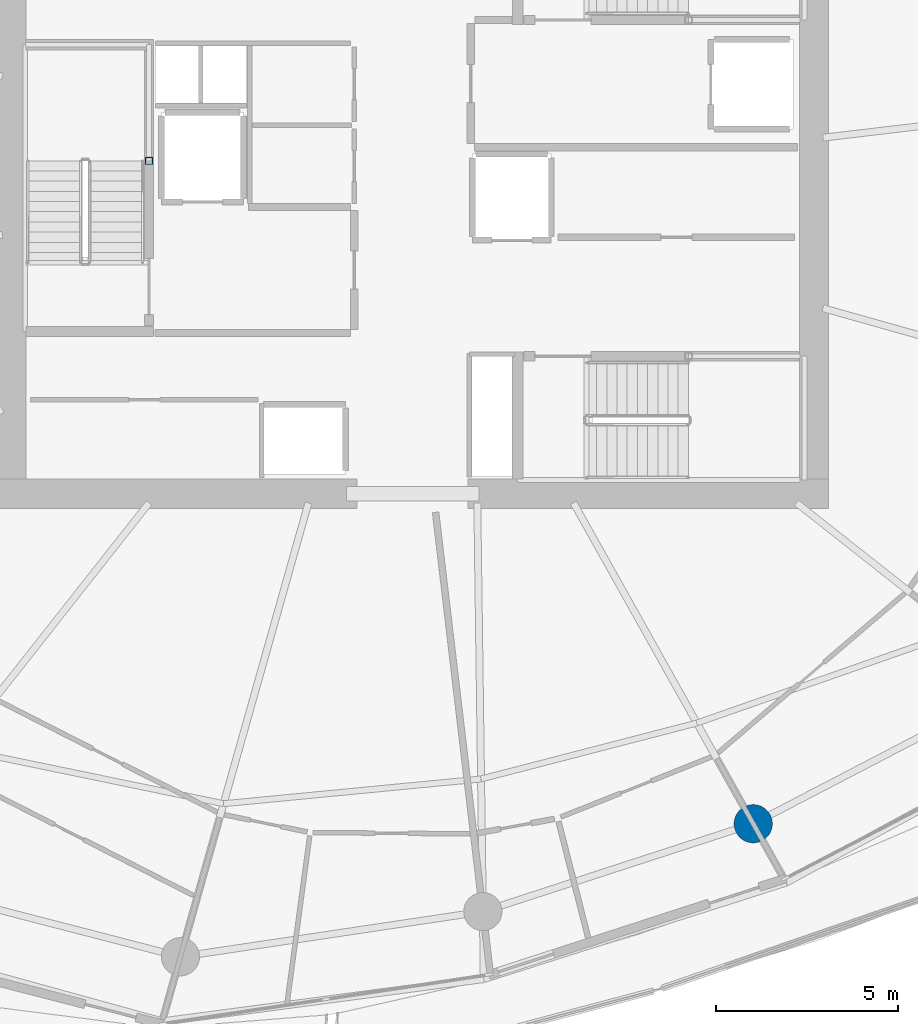
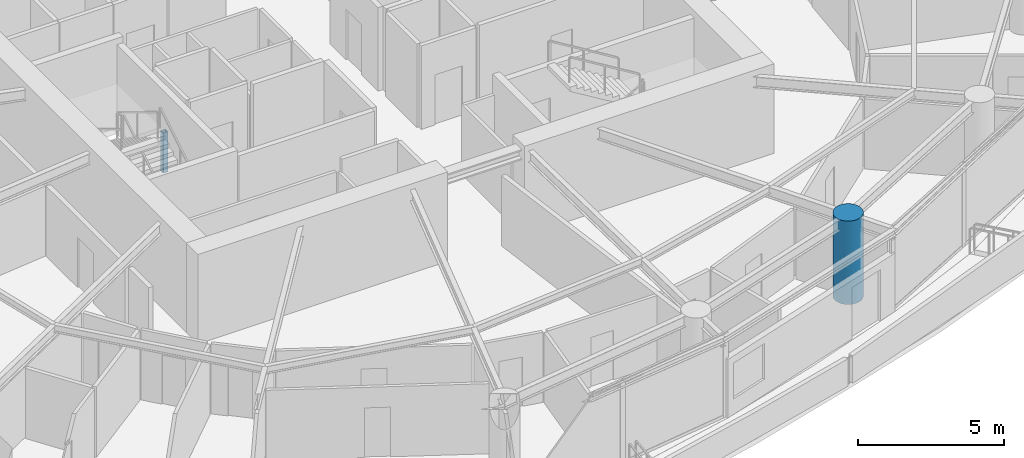
# One storey, part 2 of 20: 2 columns.
"""IFC4 building model written with IfcOpenShell, lengths in metres."""

from ifc_helpers import new_model, si_unit, direction, frame, origin, origin_2d, place, context, subcontext, project, spatial, hollow_rectangle, circle, extrude, material, material_profile, profile_set, type_object, element, save


model = new_model("IFC4")

# Units and contexts
model_context = context("Model", 3, precision=1e-05, world=origin(), true_north=direction((0.0, 1.0)))
body_context = subcontext(model_context, "Body", "Model", "MODEL_VIEW")
ifc_project = project(units=[si_unit("LENGTHUNIT", "METRE"), si_unit("AREAUNIT", "SQUARE_METRE"), si_unit("VOLUMEUNIT", "CUBIC_METRE"), si_unit("PLANEANGLEUNIT", "RADIAN"), si_unit("MASSUNIT", "GRAM", prefix="KILO")], contexts=[model_context])

# Site, building, storey
site_placement = place(None, origin())
site = spatial("IfcSite", under=ifc_project, at=site_placement, CompositionType="ELEMENT")
building_placement = place(site_placement, origin())
building = spatial("IfcBuilding", under=site, at=building_placement, Name="Kazma Halo Residences", CompositionType="ELEMENT")
storey_placement = place(building_placement, frame((0.0, 0.0, 154.050048828125)))
storey = spatial("IfcBuildingStorey", under=building, at=storey_placement, Name="L38", CompositionType="ELEMENT", Elevation=154.050048828125)

# Columns
ifc_material_1 = material(Name="Steel S355", Category="steel")
ifc_material_profile_1 = material_profile(ifc_material_1, hollow_rectangle(XDim=0.199951171875, YDim=0.199951171875, WallThickness=0.010009765625, InnerFilletRadius=0.010009765625, OuterFilletRadius=0.02001953125, at=origin_2d()), Name="SHS200x200x10")
ifc_profile_set_1 = profile_set([ifc_material_profile_1], Name="Steel S355")
column_type_1 = type_object("IfcColumnType", Name="COL-LP-SHS200", PredefinedType="COLUMN", material=ifc_profile_set_1)
column_1_placement = place(storey_placement, frame((41.179931640625, 42.75, 0.0), z_axis=(0.0, 0.0, 1.0), x_axis=(1.0, 0.0, 0.0)))
element("IfcColumn", 1, at=column_1_placement, inside=storey, type_object=column_type_1, Name="L38 ST-01 landing pilaster 1", PredefinedType="COLUMN", context=body_context, shape_type="SweptSolid", body=[
    extrude(hollow_rectangle(XDim=0.199951171875, YDim=0.199951171875, WallThickness=0.010009765625, InnerFilletRadius=0.010009765625, OuterFilletRadius=0.02001953125, at=origin_2d()), origin(), (0.0, 0.0, 1.0), 1.669921875),
])
ifc_material_2 = material(Name="Concrete C80/95", Category="concrete")
ifc_material_profile_2 = material_profile(ifc_material_2, circle(Radius=0.52490234375, at=origin_2d()), Name="CIRC1050")
ifc_profile_set_2 = profile_set([ifc_material_profile_2], Name="Concrete C80/95")
column_type_2 = type_object("IfcColumnType", Name="COL-PERIM-1050", PredefinedType="COLUMN", material=ifc_profile_set_2)
column_2_placement = place(storey_placement, frame((57.781982421875, 24.53271484375, 0.0), z_axis=(0.0, 0.0, 1.0), x_axis=(1.0, 0.0, 0.0)))
element("IfcColumn", 2, at=column_2_placement, inside=storey, type_object=column_type_2, Name="L38 perimeter ring column P13", PredefinedType="COLUMN", context=body_context, shape_type="SweptSolid", body=[
    extrude(circle(Radius=0.52490234375, at=origin_2d()), origin(), (0.0, 0.0, 1.0), 3.5),
])

save(model, "model.ifc")
